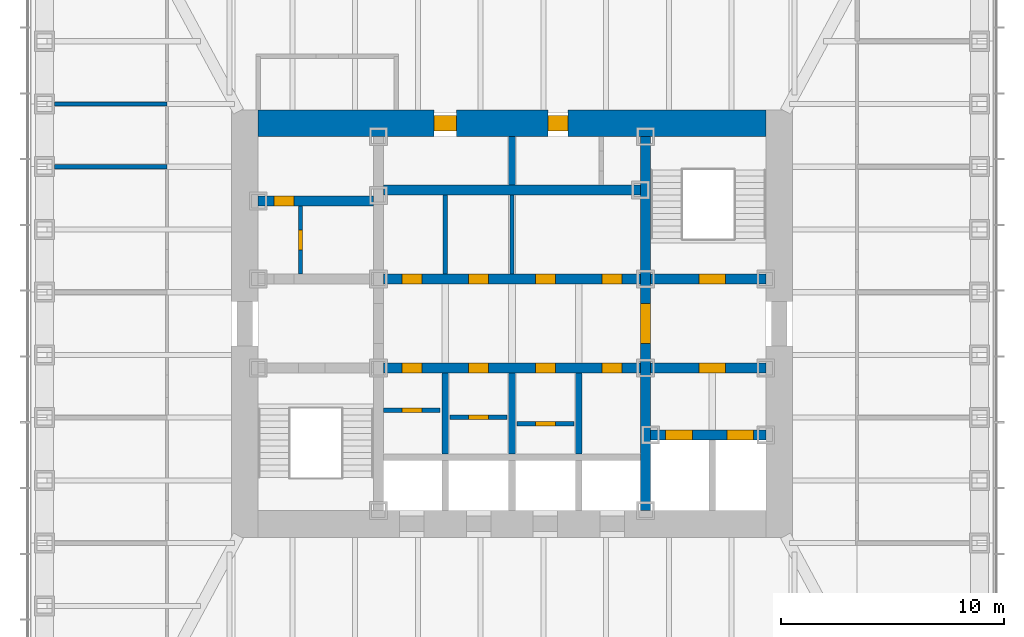
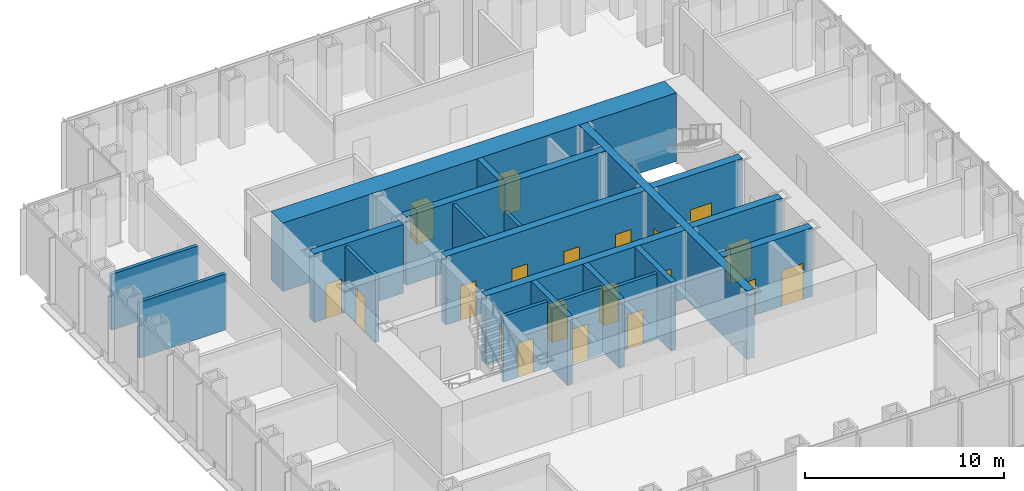
# One storey, part 9 of 16: 21 walls, 20 doors, 20 openings.
"""IFC4 building model written with IfcOpenShell, lengths in metres."""

from ifc_helpers import new_model, si_unit, direction, frame, frame_2d, origin, place, context, subcontext, project, spatial, rectangle, extrude, material, layer, layer_set, type_object, element, fill, save


model = new_model("IFC4")

# Units and contexts
model_context = context("Model", 3, precision=1e-05, world=origin(), true_north=direction((0.0, 1.0)))
body_context = subcontext(model_context, "Body", "Model", "MODEL_VIEW")
ifc_project = project(units=[si_unit("LENGTHUNIT", "METRE"), si_unit("AREAUNIT", "SQUARE_METRE"), si_unit("VOLUMEUNIT", "CUBIC_METRE"), si_unit("PLANEANGLEUNIT", "RADIAN"), si_unit("MASSUNIT", "GRAM", prefix="KILO")], contexts=[model_context])

# Site, building, storey
site_placement = place(None, origin())
site = spatial("IfcSite", under=ifc_project, at=site_placement, CompositionType="ELEMENT")
building_placement = place(site_placement, origin())
building = spatial("IfcBuilding", under=site, at=building_placement, Name="Daluyong Arena Tower", CompositionType="ELEMENT")
storey_placement = place(building_placement, frame((0.0, 0.0, 189.699951171875)))
storey = spatial("IfcBuildingStorey", under=building, at=storey_placement, Name="L42", CompositionType="ELEMENT", Elevation=189.699951171875)

# Wall, opening, door
ifc_material_1 = material(Name="Concrete fc' 45 MPa", Category="concrete")
ifc_layer_1 = layer(ifc_material_1, 0.449951171875)
ifc_layer_set_1 = layer_set([ifc_layer_1], Name="Concrete fc' 45 MPa")
wall_type_1 = type_object("IfcWallType", Name="Core inner wall 450", PredefinedType="SHEAR", material=ifc_layer_set_1)
wall_1_placement = place(storey_placement, frame((62.0, 71.60009765625, 0.0), z_axis=(0.0, 0.0, 1.0), x_axis=(0.0, 1.0, 0.0)))
wall_1 = element("IfcWall", 1, at=wall_1_placement, inside=storey, type_object=wall_type_1, Name="core inner wall at L42", PredefinedType="SHEAR", context=body_context, shape_type="SweptSolid", body=[
    extrude(rectangle(XDim=16.7998046875, YDim=0.449951171875, at=frame_2d((8.39990234375, 0.0))), origin(), (0.0, 0.0, 1.0), 4.199951171875),
])
opening_1_placement = place(wall_1_placement, frame((7.5, 0.0, 0.0)))
opening_1 = element("IfcOpeningElement", 2, at=opening_1_placement, cuts=wall_1, Name="Opening 42023", PredefinedType="OPENING", context=body_context, shape_type="SweptSolid", body=[
    extrude(rectangle(XDim=1.800048828125, YDim=2.39990234375, at=frame_2d((0.89990234375, 1.199951171875))), frame((0.0, 0.23486328125, 0.0), z_axis=(0.0, -1.0, 0.0), x_axis=(1.0, 0.0, 0.0)), (0.0, 0.0, 1.0), 0.469970703125),
])
ifc_material_2 = material(Name="Steel door, fire rated", Category="steel")
door_type_1 = type_object("IfcDoorType", Name="Lift lobby opening door 1800", OperationType="DOUBLE_DOOR_SINGLE_SWING", PredefinedType="DOOR", material=ifc_material_2)
door_1_placement = place(opening_1_placement, origin())
door_1 = element("IfcDoor", 3, at=door_1_placement, inside=storey, type_object=door_type_1, Name="lift lobby door east 42023", OperationType="DOUBLE_DOOR_SINGLE_SWING", OverallHeight=2.39990234375, OverallWidth=1.800048828125, PredefinedType="DOOR", context=body_context, shape_type="SweptSolid", body=[
    extrude(rectangle(XDim=1.800048828125, YDim=2.39990234375, at=frame_2d((0.89990234375, 1.199951171875))), frame((0.0, 0.224609375, 0.0), z_axis=(0.0, -1.0, 0.0), x_axis=(1.0, 0.0, 0.0)), (0.0, 0.0, 1.0), 0.449462890625),
])
fill(opening_1, door_1)

wall_2_placement = place(storey_placement, frame((44.60009765625, 85.5, 0.0), z_axis=(0.0, 0.0, 1.0), x_axis=(1.0, 0.0, 0.0)))
wall_2 = element("IfcWall", 4, at=wall_2_placement, inside=storey, type_object=wall_type_1, Name="core inner wall at L42", PredefinedType="SHEAR", context=body_context, shape_type="SweptSolid", body=[
    extrude(rectangle(XDim=5.1748046875, YDim=0.449951171875, at=frame_2d((2.58740234375, 0.0))), origin(), (0.0, 0.0, 1.0), 4.199951171875),
])
opening_2_placement = place(wall_2_placement, frame((0.699951171875, 0.0, 0.0)))
opening_2 = element("IfcOpeningElement", 5, at=opening_2_placement, cuts=wall_2, Name="Opening 42003", PredefinedType="OPENING", context=body_context, shape_type="SweptSolid", body=[
    extrude(rectangle(XDim=0.89990234375, YDim=2.10009765625, at=frame_2d((0.449951171875, 1.050048828125))), frame((0.0, 0.23486328125, 0.0), z_axis=(0.0, -1.0, 0.0), x_axis=(1.0, 0.0, 0.0)), (0.0, 0.0, 1.0), 0.469970703125),
])
ifc_material_3 = material(Name="Timber door", Category="wood")
door_type_2 = type_object("IfcDoorType", Name="Toilet door 900", OperationType="SINGLE_SWING_RIGHT", PredefinedType="DOOR", material=ifc_material_3)
door_2_placement = place(opening_2_placement, origin())
door_2 = element("IfcDoor", 6, at=door_2_placement, inside=storey, type_object=door_type_2, Name="female toilet door 42003", OperationType="SINGLE_SWING_RIGHT", OverallHeight=2.10009765625, OverallWidth=0.89990234375, PredefinedType="DOOR", context=body_context, shape_type="SweptSolid", body=[
    extrude(rectangle(XDim=0.89990234375, YDim=2.10009765625, at=frame_2d((0.449951171875, 1.050048828125))), frame((0.0, 0.224609375, 0.0), z_axis=(0.0, -1.0, 0.0), x_axis=(1.0, 0.0, 0.0)), (0.0, 0.0, 1.0), 0.449462890625),
])
fill(opening_2, door_2)

# Wall, openings, doors
wall_3_placement = place(storey_placement, frame((62.22509765625, 75.0, 0.0), z_axis=(0.0, 0.0, 1.0), x_axis=(1.0, 0.0, 0.0)))
wall_3 = element("IfcWall", 7, at=wall_3_placement, inside=storey, type_object=wall_type_1, Name="core inner wall at L42", PredefinedType="SHEAR", context=body_context, shape_type="SweptSolid", body=[
    extrude(rectangle(XDim=5.1748046875, YDim=0.449951171875, at=frame_2d((2.58740234375, 0.0))), origin(), (0.0, 0.0, 1.0), 4.199951171875),
])
opening_3_placement = place(wall_3_placement, frame((0.675048828125, 0.0, 0.0)))
opening_3 = element("IfcOpeningElement", 8, at=opening_3_placement, cuts=wall_3, Name="Opening 42029", PredefinedType="OPENING", context=body_context, shape_type="SweptSolid", body=[
    extrude(rectangle(XDim=1.199951171875, YDim=2.199951171875, at=frame_2d((0.60009765625, 1.10009765625))), frame((0.0, 0.23486328125, 0.0), z_axis=(0.0, -1.0, 0.0), x_axis=(1.0, 0.0, 0.0)), (0.0, 0.0, 1.0), 0.469970703125),
])
opening_4_placement = place(wall_3_placement, frame((3.425048828125, 0.0, 0.0)))
opening_4 = element("IfcOpeningElement", 9, at=opening_4_placement, cuts=wall_3, Name="Opening 42030", PredefinedType="OPENING", context=body_context, shape_type="SweptSolid", body=[
    extrude(rectangle(XDim=1.199951171875, YDim=2.199951171875, at=frame_2d((0.60009765625, 1.10009765625))), frame((0.0, 0.23486328125, 0.0), z_axis=(0.0, -1.0, 0.0), x_axis=(1.0, 0.0, 0.0)), (0.0, 0.0, 1.0), 0.469970703125),
])
ifc_material_4 = material(Name="Steel door, fire rated", Category="steel")
door_type_3 = type_object("IfcDoorType", Name="Firefighting lift landing door 1200", OperationType="SLIDING_TO_LEFT", PredefinedType="DOOR", material=ifc_material_4)
door_3_placement = place(opening_3_placement, origin())
door_3 = element("IfcDoor", 10, at=door_3_placement, inside=storey, type_object=door_type_3, Name="firefighting lift landing door F1 42029", OperationType="SLIDING_TO_LEFT", OverallHeight=2.199951171875, OverallWidth=1.199951171875, PredefinedType="DOOR", context=body_context, shape_type="SweptSolid", body=[
    extrude(rectangle(XDim=1.199951171875, YDim=2.199951171875, at=frame_2d((0.60009765625, 1.10009765625))), frame((0.0, 0.224609375, 0.0), z_axis=(0.0, -1.0, 0.0), x_axis=(1.0, 0.0, 0.0)), (0.0, 0.0, 1.0), 0.449462890625),
])
fill(opening_3, door_3)
door_4_placement = place(opening_4_placement, origin())
door_4 = element("IfcDoor", 11, at=door_4_placement, inside=storey, type_object=door_type_3, Name="firefighting lift landing door F2 42030", OperationType="SLIDING_TO_LEFT", OverallHeight=2.199951171875, OverallWidth=1.199951171875, PredefinedType="DOOR", context=body_context, shape_type="SweptSolid", body=[
    extrude(rectangle(XDim=1.199951171875, YDim=2.199951171875, at=frame_2d((0.60009765625, 1.10009765625))), frame((0.0, 0.224609375, 0.0), z_axis=(0.0, -1.0, 0.0), x_axis=(1.0, 0.0, 0.0)), (0.0, 0.0, 1.0), 0.449462890625),
])
fill(opening_4, door_4)

# Wall, opening, door
wall_4_placement = place(storey_placement, frame((62.22509765625, 78.0, 0.0), z_axis=(0.0, 0.0, 1.0), x_axis=(1.0, 0.0, 0.0)))
wall_4 = element("IfcWall", 12, at=wall_4_placement, inside=storey, type_object=wall_type_1, Name="core inner wall at L42", PredefinedType="SHEAR", context=body_context, shape_type="SweptSolid", body=[
    extrude(rectangle(XDim=5.1748046875, YDim=0.449951171875, at=frame_2d((2.58740234375, 0.0))), origin(), (0.0, 0.0, 1.0), 4.199951171875),
])
opening_5_placement = place(wall_4_placement, frame((2.175048828125, 0.0, 0.0)))
opening_5 = element("IfcOpeningElement", 13, at=opening_5_placement, cuts=wall_4, Name="Opening 42024", PredefinedType="OPENING", context=body_context, shape_type="SweptSolid", body=[
    extrude(rectangle(XDim=1.199951171875, YDim=2.10009765625, at=frame_2d((0.60009765625, 1.050048828125))), frame((0.0, 0.23486328125, 0.0), z_axis=(0.0, -1.0, 0.0), x_axis=(1.0, 0.0, 0.0)), (0.0, 0.0, 1.0), 0.469970703125),
])
ifc_material_5 = material(Name="Steel door, fire rated", Category="steel")
door_type_4 = type_object("IfcDoorType", Name="Firefighting lobby door 1200", OperationType="SINGLE_SWING_RIGHT", PredefinedType="DOOR", material=ifc_material_5)
door_5_placement = place(opening_5_placement, origin())
door_5 = element("IfcDoor", 14, at=door_5_placement, inside=storey, type_object=door_type_4, Name="firefighting lobby door 42024", OperationType="SINGLE_SWING_RIGHT", OverallHeight=2.10009765625, OverallWidth=1.199951171875, PredefinedType="DOOR", context=body_context, shape_type="SweptSolid", body=[
    extrude(rectangle(XDim=1.199951171875, YDim=2.10009765625, at=frame_2d((0.60009765625, 1.050048828125))), frame((0.0, 0.224609375, 0.0), z_axis=(0.0, -1.0, 0.0), x_axis=(1.0, 0.0, 0.0)), (0.0, 0.0, 1.0), 0.449462890625),
])
fill(opening_5, door_5)

wall_5_placement = place(storey_placement, frame((62.22509765625, 82.0, 0.0), z_axis=(0.0, 0.0, 1.0), x_axis=(1.0, 0.0, 0.0)))
wall_5 = element("IfcWall", 15, at=wall_5_placement, inside=storey, type_object=wall_type_1, Name="core inner wall at L42", PredefinedType="SHEAR", context=body_context, shape_type="SweptSolid", body=[
    extrude(rectangle(XDim=5.1748046875, YDim=0.449951171875, at=frame_2d((2.58740234375, 0.0))), origin(), (0.0, 0.0, 1.0), 4.199951171875),
])
opening_6_placement = place(wall_5_placement, frame((2.175048828125, 0.0, 0.0)))
opening_6 = element("IfcOpeningElement", 16, at=opening_6_placement, cuts=wall_5, Name="Opening 42019", PredefinedType="OPENING", context=body_context, shape_type="SweptSolid", body=[
    extrude(rectangle(XDim=1.199951171875, YDim=2.10009765625, at=frame_2d((0.60009765625, 1.050048828125))), frame((0.0, 0.23486328125, 0.0), z_axis=(0.0, -1.0, 0.0), x_axis=(1.0, 0.0, 0.0)), (0.0, 0.0, 1.0), 0.469970703125),
])
ifc_material_6 = material(Name="Steel door, fire rated", Category="steel")
door_type_5 = type_object("IfcDoorType", Name="Stair door 1200", OperationType="SINGLE_SWING_LEFT", PredefinedType="DOOR", material=ifc_material_6)
door_6_placement = place(opening_6_placement, origin())
door_6 = element("IfcDoor", 17, at=door_6_placement, inside=storey, type_object=door_type_5, Name="stair B door 42019", OperationType="SINGLE_SWING_LEFT", OverallHeight=2.10009765625, OverallWidth=1.199951171875, PredefinedType="DOOR", context=body_context, shape_type="SweptSolid", body=[
    extrude(rectangle(XDim=1.199951171875, YDim=2.10009765625, at=frame_2d((0.60009765625, 1.050048828125))), frame((0.0, 0.224609375, 0.0), z_axis=(0.0, -1.0, 0.0), x_axis=(1.0, 0.0, 0.0)), (0.0, 0.0, 1.0), 0.449462890625),
])
fill(opening_6, door_6)

# Wall, openings, doors
wall_6_placement = place(storey_placement, frame((50.22509765625, 78.0, 0.0), z_axis=(0.0, 0.0, 1.0), x_axis=(1.0, 0.0, 0.0)))
wall_6 = element("IfcWall", 18, at=wall_6_placement, inside=storey, type_object=wall_type_1, Name="core inner wall at L42", PredefinedType="SHEAR", context=body_context, shape_type="SweptSolid", body=[
    extrude(rectangle(XDim=11.5498046875, YDim=0.449951171875, at=frame_2d((5.77490234375, 0.0))), origin(), (0.0, 0.0, 1.0), 4.199951171875),
])
opening_7_placement = place(wall_6_placement, frame((0.824951171875, 0.0, 0.0)))
opening_7 = element("IfcOpeningElement", 19, at=opening_7_placement, cuts=wall_6, Name="Opening 42007", PredefinedType="OPENING", context=body_context, shape_type="SweptSolid", body=[
    extrude(rectangle(XDim=0.89990234375, YDim=2.10009765625, at=frame_2d((0.449951171875, 1.050048828125))), frame((0.0, 0.23486328125, 0.0), z_axis=(0.0, -1.0, 0.0), x_axis=(1.0, 0.0, 0.0)), (0.0, 0.0, 1.0), 0.469970703125),
])
opening_8_placement = place(wall_6_placement, frame((3.824951171875, 0.0, 0.0)))
opening_8 = element("IfcOpeningElement", 20, at=opening_8_placement, cuts=wall_6, Name="Opening 42009", PredefinedType="OPENING", context=body_context, shape_type="SweptSolid", body=[
    extrude(rectangle(XDim=0.89990234375, YDim=2.10009765625, at=frame_2d((0.449951171875, 1.050048828125))), frame((0.0, 0.23486328125, 0.0), z_axis=(0.0, -1.0, 0.0), x_axis=(1.0, 0.0, 0.0)), (0.0, 0.0, 1.0), 0.469970703125),
])
opening_9_placement = place(wall_6_placement, frame((6.824951171875, 0.0, 0.0)))
opening_9 = element("IfcOpeningElement", 21, at=opening_9_placement, cuts=wall_6, Name="Opening 42011", PredefinedType="OPENING", context=body_context, shape_type="SweptSolid", body=[
    extrude(rectangle(XDim=0.89990234375, YDim=2.10009765625, at=frame_2d((0.449951171875, 1.050048828125))), frame((0.0, 0.23486328125, 0.0), z_axis=(0.0, -1.0, 0.0), x_axis=(1.0, 0.0, 0.0)), (0.0, 0.0, 1.0), 0.469970703125),
])
opening_10_placement = place(wall_6_placement, frame((9.824951171875, 0.0, 0.0)))
opening_10 = element("IfcOpeningElement", 22, at=opening_10_placement, cuts=wall_6, Name="Opening 42013", PredefinedType="OPENING", context=body_context, shape_type="SweptSolid", body=[
    extrude(rectangle(XDim=0.89990234375, YDim=2.10009765625, at=frame_2d((0.449951171875, 1.050048828125))), frame((0.0, 0.23486328125, 0.0), z_axis=(0.0, -1.0, 0.0), x_axis=(1.0, 0.0, 0.0)), (0.0, 0.0, 1.0), 0.469970703125),
])
ifc_material_7 = material(Name="Steel door, fire rated", Category="steel")
door_type_6 = type_object("IfcDoorType", Name="Core room door 900", OperationType="SINGLE_SWING_LEFT", PredefinedType="DOOR", material=ifc_material_7)
door_7_placement = place(opening_10_placement, origin())
door_7 = element("IfcDoor", 23, at=door_7_placement, inside=storey, type_object=door_type_6, Name="vending room door 42013", OperationType="SINGLE_SWING_LEFT", OverallHeight=2.10009765625, OverallWidth=0.89990234375, PredefinedType="DOOR", context=body_context, shape_type="SweptSolid", body=[
    extrude(rectangle(XDim=0.89990234375, YDim=2.10009765625, at=frame_2d((0.449951171875, 1.050048828125))), frame((0.0, 0.224609375, 0.0), z_axis=(0.0, -1.0, 0.0), x_axis=(1.0, 0.0, 0.0)), (0.0, 0.0, 1.0), 0.449462890625),
])
fill(opening_10, door_7)
ifc_material_8 = material(Name="Steel door, fire rated", Category="steel")
door_type_7 = type_object("IfcDoorType", Name="Core store door 900", OperationType="SINGLE_SWING_LEFT", PredefinedType="DOOR", material=ifc_material_8)
door_8_placement = place(opening_7_placement, origin())
door_8 = element("IfcDoor", 24, at=door_8_placement, inside=storey, type_object=door_type_7, Name="stationery store door 42007", OperationType="SINGLE_SWING_LEFT", OverallHeight=2.10009765625, OverallWidth=0.89990234375, PredefinedType="DOOR", context=body_context, shape_type="SweptSolid", body=[
    extrude(rectangle(XDim=0.89990234375, YDim=2.10009765625, at=frame_2d((0.449951171875, 1.050048828125))), frame((0.0, 0.224609375, 0.0), z_axis=(0.0, -1.0, 0.0), x_axis=(1.0, 0.0, 0.0)), (0.0, 0.0, 1.0), 0.449462890625),
])
fill(opening_7, door_8)
door_9_placement = place(opening_8_placement, origin())
door_9 = element("IfcDoor", 25, at=door_9_placement, inside=storey, type_object=door_type_7, Name="cleaner's store door 42009", OperationType="SINGLE_SWING_LEFT", OverallHeight=2.10009765625, OverallWidth=0.89990234375, PredefinedType="DOOR", context=body_context, shape_type="SweptSolid", body=[
    extrude(rectangle(XDim=0.89990234375, YDim=2.10009765625, at=frame_2d((0.449951171875, 1.050048828125))), frame((0.0, 0.224609375, 0.0), z_axis=(0.0, -1.0, 0.0), x_axis=(1.0, 0.0, 0.0)), (0.0, 0.0, 1.0), 0.449462890625),
])
fill(opening_8, door_9)
door_10_placement = place(opening_9_placement, origin())
door_10 = element("IfcDoor", 26, at=door_10_placement, inside=storey, type_object=door_type_7, Name="furniture store door 42011", OperationType="SINGLE_SWING_LEFT", OverallHeight=2.10009765625, OverallWidth=0.89990234375, PredefinedType="DOOR", context=body_context, shape_type="SweptSolid", body=[
    extrude(rectangle(XDim=0.89990234375, YDim=2.10009765625, at=frame_2d((0.449951171875, 1.050048828125))), frame((0.0, 0.224609375, 0.0), z_axis=(0.0, -1.0, 0.0), x_axis=(1.0, 0.0, 0.0)), (0.0, 0.0, 1.0), 0.449462890625),
])
fill(opening_9, door_10)

wall_7_placement = place(storey_placement, frame((50.22509765625, 82.0, 0.0), z_axis=(0.0, 0.0, 1.0), x_axis=(1.0, 0.0, 0.0)))
wall_7 = element("IfcWall", 27, at=wall_7_placement, inside=storey, type_object=wall_type_1, Name="core inner wall at L42", PredefinedType="SHEAR", context=body_context, shape_type="SweptSolid", body=[
    extrude(rectangle(XDim=11.5498046875, YDim=0.449951171875, at=frame_2d((5.77490234375, 0.0))), origin(), (0.0, 0.0, 1.0), 4.199951171875),
])
opening_11_placement = place(wall_7_placement, frame((0.824951171875, 0.0, 0.0)))
opening_11 = element("IfcOpeningElement", 28, at=opening_11_placement, cuts=wall_7, Name="Opening 42014", PredefinedType="OPENING", context=body_context, shape_type="SweptSolid", body=[
    extrude(rectangle(XDim=0.89990234375, YDim=2.10009765625, at=frame_2d((0.449951171875, 1.050048828125))), frame((0.0, 0.23486328125, 0.0), z_axis=(0.0, -1.0, 0.0), x_axis=(1.0, 0.0, 0.0)), (0.0, 0.0, 1.0), 0.469970703125),
])
opening_12_placement = place(wall_7_placement, frame((3.824951171875, 0.0, 0.0)))
opening_12 = element("IfcOpeningElement", 29, at=opening_12_placement, cuts=wall_7, Name="Opening 42015", PredefinedType="OPENING", context=body_context, shape_type="SweptSolid", body=[
    extrude(rectangle(XDim=0.89990234375, YDim=2.10009765625, at=frame_2d((0.449951171875, 1.050048828125))), frame((0.0, 0.23486328125, 0.0), z_axis=(0.0, -1.0, 0.0), x_axis=(1.0, 0.0, 0.0)), (0.0, 0.0, 1.0), 0.469970703125),
])
opening_13_placement = place(wall_7_placement, frame((6.824951171875, 0.0, 0.0)))
opening_13 = element("IfcOpeningElement", 30, at=opening_13_placement, cuts=wall_7, Name="Opening 42016", PredefinedType="OPENING", context=body_context, shape_type="SweptSolid", body=[
    extrude(rectangle(XDim=0.89990234375, YDim=2.10009765625, at=frame_2d((0.449951171875, 1.050048828125))), frame((0.0, 0.23486328125, 0.0), z_axis=(0.0, -1.0, 0.0), x_axis=(1.0, 0.0, 0.0)), (0.0, 0.0, 1.0), 0.469970703125),
])
opening_14_placement = place(wall_7_placement, frame((9.824951171875, 0.0, 0.0)))
opening_14 = element("IfcOpeningElement", 31, at=opening_14_placement, cuts=wall_7, Name="Opening 42017", PredefinedType="OPENING", context=body_context, shape_type="SweptSolid", body=[
    extrude(rectangle(XDim=0.89990234375, YDim=2.10009765625, at=frame_2d((0.449951171875, 1.050048828125))), frame((0.0, 0.23486328125, 0.0), z_axis=(0.0, -1.0, 0.0), x_axis=(1.0, 0.0, 0.0)), (0.0, 0.0, 1.0), 0.469970703125),
])
door_11_placement = place(opening_11_placement, origin())
door_11 = element("IfcDoor", 32, at=door_11_placement, inside=storey, type_object=door_type_6, Name="mail room door 42014", OperationType="SINGLE_SWING_LEFT", OverallHeight=2.10009765625, OverallWidth=0.89990234375, PredefinedType="DOOR", context=body_context, shape_type="SweptSolid", body=[
    extrude(rectangle(XDim=0.89990234375, YDim=2.10009765625, at=frame_2d((0.449951171875, 1.050048828125))), frame((0.0, 0.224609375, 0.0), z_axis=(0.0, -1.0, 0.0), x_axis=(1.0, 0.0, 0.0)), (0.0, 0.0, 1.0), 0.449462890625),
])
fill(opening_11, door_11)
door_12_placement = place(opening_12_placement, origin())
door_12 = element("IfcDoor", 33, at=door_12_placement, inside=storey, type_object=door_type_6, Name="print room door 42015", OperationType="SINGLE_SWING_LEFT", OverallHeight=2.10009765625, OverallWidth=0.89990234375, PredefinedType="DOOR", context=body_context, shape_type="SweptSolid", body=[
    extrude(rectangle(XDim=0.89990234375, YDim=2.10009765625, at=frame_2d((0.449951171875, 1.050048828125))), frame((0.0, 0.224609375, 0.0), z_axis=(0.0, -1.0, 0.0), x_axis=(1.0, 0.0, 0.0)), (0.0, 0.0, 1.0), 0.449462890625),
])
fill(opening_12, door_12)
ifc_material_9 = material(Name="Steel door, fire rated", Category="steel")
door_type_8 = type_object("IfcDoorType", Name="Plant room door 900", OperationType="SINGLE_SWING_LEFT", PredefinedType="DOOR", material=ifc_material_9)
door_13_placement = place(opening_13_placement, origin())
door_13 = element("IfcDoor", 34, at=door_13_placement, inside=storey, type_object=door_type_8, Name="comms room door 42016", OperationType="SINGLE_SWING_LEFT", OverallHeight=2.10009765625, OverallWidth=0.89990234375, PredefinedType="DOOR", context=body_context, shape_type="SweptSolid", body=[
    extrude(rectangle(XDim=0.89990234375, YDim=2.10009765625, at=frame_2d((0.449951171875, 1.050048828125))), frame((0.0, 0.224609375, 0.0), z_axis=(0.0, -1.0, 0.0), x_axis=(1.0, 0.0, 0.0)), (0.0, 0.0, 1.0), 0.449462890625),
])
fill(opening_13, door_13)
door_14_placement = place(opening_14_placement, origin())
door_14 = element("IfcDoor", 35, at=door_14_placement, inside=storey, type_object=door_type_8, Name="comms room door 42017", OperationType="SINGLE_SWING_LEFT", OverallHeight=2.10009765625, OverallWidth=0.89990234375, PredefinedType="DOOR", context=body_context, shape_type="SweptSolid", body=[
    extrude(rectangle(XDim=0.89990234375, YDim=2.10009765625, at=frame_2d((0.449951171875, 1.050048828125))), frame((0.0, 0.224609375, 0.0), z_axis=(0.0, -1.0, 0.0), x_axis=(1.0, 0.0, 0.0)), (0.0, 0.0, 1.0), 0.449462890625),
])
fill(opening_14, door_14)

# Wall
wall_8_placement = place(storey_placement, frame((50.22509765625, 86.0, 0.0), z_axis=(0.0, 0.0, 1.0), x_axis=(1.0, 0.0, 0.0)))
element("IfcWall", 36, at=wall_8_placement, inside=storey, type_object=wall_type_1, Name="core inner wall at L42", PredefinedType="SHEAR", context=body_context, shape_type="SweptSolid", body=[
    extrude(rectangle(XDim=11.5498046875, YDim=0.449951171875, at=frame_2d((5.77490234375, 0.0))), origin(), (0.0, 0.0, 1.0), 4.199951171875),
])

# Wall, openings, doors
ifc_material_10 = material(Name="Concrete fc' 60 MPa", Category="concrete")
ifc_layer_2 = layer(ifc_material_10, 1.199951171875)
ifc_layer_set_2 = layer_set([ifc_layer_2], Name="Concrete fc' 60 MPa")
wall_type_2 = type_object("IfcWallType", Name="Core wall 1200", PredefinedType="SHEAR", material=ifc_layer_set_2)
wall_9_placement = place(storey_placement, frame((44.60009765625, 89.0, 0.0), z_axis=(0.0, 0.0, 1.0), x_axis=(1.0, 0.0, 0.0)))
wall_9 = element("IfcWall", 37, at=wall_9_placement, inside=storey, type_object=wall_type_2, Name="core wall at L42", PredefinedType="SHEAR", context=body_context, shape_type="SweptSolid", body=[
    extrude(rectangle(XDim=22.7998046875, YDim=1.199951171875, at=frame_2d((11.39990234375, 0.0))), origin(), (0.0, 0.0, 1.0), 4.199951171875),
])
opening_15_placement = place(wall_9_placement, frame((7.89990234375, 0.0, 0.0)))
opening_15 = element("IfcOpeningElement", 38, at=opening_15_placement, cuts=wall_9, Name="Opening 42004", PredefinedType="OPENING", context=body_context, shape_type="SweptSolid", body=[
    extrude(rectangle(XDim=1.0, YDim=2.10009765625, at=frame_2d((0.5, 1.050048828125))), frame((0.0, 0.60986328125, 0.0), z_axis=(0.0, -1.0, 0.0), x_axis=(1.0, 0.0, 0.0)), (0.0, 0.0, 1.0), 1.219970703125),
])
opening_16_placement = place(wall_9_placement, frame((13.012451171875, 0.0, 0.0)))
opening_16 = element("IfcOpeningElement", 39, at=opening_16_placement, cuts=wall_9, Name="Opening 42005", PredefinedType="OPENING", context=body_context, shape_type="SweptSolid", body=[
    extrude(rectangle(XDim=0.89990234375, YDim=2.10009765625, at=frame_2d((0.449951171875, 1.050048828125))), frame((0.0, 0.60986328125, 0.0), z_axis=(0.0, -1.0, 0.0), x_axis=(1.0, 0.0, 0.0)), (0.0, 0.0, 1.0), 1.219970703125),
])
ifc_material_11 = material(Name="Timber door", Category="wood")
door_type_9 = type_object("IfcDoorType", Name="Accessible toilet door 1000", OperationType="SINGLE_SWING_LEFT", PredefinedType="DOOR", material=ifc_material_11)
door_15_placement = place(opening_15_placement, origin())
door_15 = element("IfcDoor", 40, at=door_15_placement, inside=storey, type_object=door_type_9, Name="accessible toilet door 42004", OperationType="SINGLE_SWING_LEFT", OverallHeight=2.10009765625, OverallWidth=1.0, PredefinedType="DOOR", context=body_context, shape_type="SweptSolid", body=[
    extrude(rectangle(XDim=1.0, YDim=2.10009765625, at=frame_2d((0.5, 1.050048828125))), frame((0.0, 0.35009765625, 0.0), z_axis=(0.0, -1.0, 0.0), x_axis=(1.0, 0.0, 0.0)), (0.0, 0.0, 1.0), 0.699951171875),
])
fill(opening_15, door_15)
door_16_placement = place(opening_16_placement, origin())
door_16 = element("IfcDoor", 41, at=door_16_placement, inside=storey, type_object=door_type_6, Name="parcel room door 42005", OperationType="SINGLE_SWING_LEFT", OverallHeight=2.10009765625, OverallWidth=0.89990234375, PredefinedType="DOOR", context=body_context, shape_type="SweptSolid", body=[
    extrude(rectangle(XDim=0.89990234375, YDim=2.10009765625, at=frame_2d((0.449951171875, 1.050048828125))), frame((0.0, 0.35009765625, 0.0), z_axis=(0.0, -1.0, 0.0), x_axis=(1.0, 0.0, 0.0)), (0.0, 0.0, 1.0), 0.699951171875),
])
fill(opening_16, door_16)

# Wall, opening, door
ifc_material_12 = material(Name="Concrete block partition, fire rated", Category="concrete")
ifc_layer_3 = layer(ifc_material_12, 0.199951171875)
ifc_layer_set_3 = layer_set([ifc_layer_3], Name="Concrete block partition, fire rated")
wall_type_3 = type_object("IfcWallType", Name="Fire-rated partition 200", PredefinedType="PARTITIONING", material=ifc_layer_set_3)
wall_10_placement = place(storey_placement, frame((46.5, 82.22509765625, 0.0), z_axis=(0.0, 0.0, 1.0), x_axis=(0.0, 1.0, 0.0)))
wall_10 = element("IfcWall", 42, at=wall_10_placement, inside=storey, type_object=wall_type_3, Name="toilet lobby partition at L42", PredefinedType="PARTITIONING", context=body_context, shape_type="SweptSolid", body=[
    extrude(rectangle(XDim=3.0498046875, YDim=0.199951171875, at=frame_2d((1.52490234375, 0.0))), origin(), (0.0, 0.0, 1.0), 4.0400390625),
])
opening_17_placement = place(wall_10_placement, frame((1.074951171875, 0.0, 0.0)))
opening_17 = element("IfcOpeningElement", 43, at=opening_17_placement, cuts=wall_10, Name="Opening 42002", PredefinedType="OPENING", context=body_context, shape_type="SweptSolid", body=[
    extrude(rectangle(XDim=0.89990234375, YDim=2.10009765625, at=frame_2d((0.449951171875, 1.050048828125))), frame((0.0, 0.10986328125, 0.0), z_axis=(0.0, -1.0, 0.0), x_axis=(1.0, 0.0, 0.0)), (0.0, 0.0, 1.0), 0.219970703125),
])
door_17_placement = place(opening_17_placement, origin())
door_17 = element("IfcDoor", 44, at=door_17_placement, inside=storey, type_object=door_type_2, Name="male toilet door 42002", OperationType="SINGLE_SWING_RIGHT", OverallHeight=2.10009765625, OverallWidth=0.89990234375, PredefinedType="DOOR", context=body_context, shape_type="SweptSolid", body=[
    extrude(rectangle(XDim=0.89990234375, YDim=2.10009765625, at=frame_2d((0.449951171875, 1.050048828125))), frame((0.0, 0.099609375, 0.0), z_axis=(0.0, -1.0, 0.0), x_axis=(1.0, 0.0, 0.0)), (0.0, 0.0, 1.0), 0.199462890625),
])
fill(opening_17, door_17)

wall_11_placement = place(storey_placement, frame((50.22509765625, 76.10009765625, 0.0), z_axis=(0.0, 0.0, 1.0), x_axis=(1.0, 0.0, 0.0)))
wall_11 = element("IfcWall", 45, at=wall_11_placement, inside=storey, type_object=wall_type_3, Name="back store partition at L42", PredefinedType="PARTITIONING", context=body_context, shape_type="SweptSolid", body=[
    extrude(rectangle(XDim=2.5498046875, YDim=0.199951171875, at=frame_2d((1.27490234375, 0.0))), origin(), (0.0, 0.0, 1.0), 4.0400390625),
])
opening_18_placement = place(wall_11_placement, frame((0.824951171875, 0.0, 0.0)))
opening_18 = element("IfcOpeningElement", 46, at=opening_18_placement, cuts=wall_11, Name="Opening 42008", PredefinedType="OPENING", context=body_context, shape_type="SweptSolid", body=[
    extrude(rectangle(XDim=0.89990234375, YDim=2.10009765625, at=frame_2d((0.449951171875, 1.050048828125))), frame((0.0, 0.10986328125, 0.0), z_axis=(0.0, -1.0, 0.0), x_axis=(1.0, 0.0, 0.0)), (0.0, 0.0, 1.0), 0.219970703125),
])
door_18_placement = place(opening_18_placement, origin())
door_18 = element("IfcDoor", 47, at=door_18_placement, inside=storey, type_object=door_type_7, Name="facilities store door 42008", OperationType="SINGLE_SWING_LEFT", OverallHeight=2.10009765625, OverallWidth=0.89990234375, PredefinedType="DOOR", context=body_context, shape_type="SweptSolid", body=[
    extrude(rectangle(XDim=0.89990234375, YDim=2.10009765625, at=frame_2d((0.449951171875, 1.050048828125))), frame((0.0, 0.099609375, 0.0), z_axis=(0.0, -1.0, 0.0), x_axis=(1.0, 0.0, 0.0)), (0.0, 0.0, 1.0), 0.199462890625),
])
fill(opening_18, door_18)

wall_12_placement = place(storey_placement, frame((53.22509765625, 75.800048828125, 0.0), z_axis=(0.0, 0.0, 1.0), x_axis=(1.0, 0.0, 0.0)))
wall_12 = element("IfcWall", 48, at=wall_12_placement, inside=storey, type_object=wall_type_3, Name="back store partition at L42", PredefinedType="PARTITIONING", context=body_context, shape_type="SweptSolid", body=[
    extrude(rectangle(XDim=2.5498046875, YDim=0.199951171875, at=frame_2d((1.27490234375, 0.0))), origin(), (0.0, 0.0, 1.0), 4.0400390625),
])
opening_19_placement = place(wall_12_placement, frame((0.824951171875, 0.0, 0.0)))
opening_19 = element("IfcOpeningElement", 49, at=opening_19_placement, cuts=wall_12, Name="Opening 42010", PredefinedType="OPENING", context=body_context, shape_type="SweptSolid", body=[
    extrude(rectangle(XDim=0.89990234375, YDim=2.10009765625, at=frame_2d((0.449951171875, 1.050048828125))), frame((0.0, 0.10986328125, 0.0), z_axis=(0.0, -1.0, 0.0), x_axis=(1.0, 0.0, 0.0)), (0.0, 0.0, 1.0), 0.219970703125),
])
door_19_placement = place(opening_19_placement, origin())
door_19 = element("IfcDoor", 50, at=door_19_placement, inside=storey, type_object=door_type_7, Name="tenant store door 42010", OperationType="SINGLE_SWING_LEFT", OverallHeight=2.10009765625, OverallWidth=0.89990234375, PredefinedType="DOOR", context=body_context, shape_type="SweptSolid", body=[
    extrude(rectangle(XDim=0.89990234375, YDim=2.10009765625, at=frame_2d((0.449951171875, 1.050048828125))), frame((0.0, 0.099609375, 0.0), z_axis=(0.0, -1.0, 0.0), x_axis=(1.0, 0.0, 0.0)), (0.0, 0.0, 1.0), 0.199462890625),
])
fill(opening_19, door_19)

wall_13_placement = place(storey_placement, frame((56.22509765625, 75.5, 0.0), z_axis=(0.0, 0.0, 1.0), x_axis=(1.0, 0.0, 0.0)))
wall_13 = element("IfcWall", 51, at=wall_13_placement, inside=storey, type_object=wall_type_3, Name="back store partition at L42", PredefinedType="PARTITIONING", context=body_context, shape_type="SweptSolid", body=[
    extrude(rectangle(XDim=2.5498046875, YDim=0.199951171875, at=frame_2d((1.27490234375, 0.0))), origin(), (0.0, 0.0, 1.0), 4.0400390625),
])
opening_20_placement = place(wall_13_placement, frame((0.824951171875, 0.0, 0.0)))
opening_20 = element("IfcOpeningElement", 52, at=opening_20_placement, cuts=wall_13, Name="Opening 42012", PredefinedType="OPENING", context=body_context, shape_type="SweptSolid", body=[
    extrude(rectangle(XDim=0.89990234375, YDim=2.10009765625, at=frame_2d((0.449951171875, 1.050048828125))), frame((0.0, 0.10986328125, 0.0), z_axis=(0.0, -1.0, 0.0), x_axis=(1.0, 0.0, 0.0)), (0.0, 0.0, 1.0), 0.219970703125),
])
door_20_placement = place(opening_20_placement, origin())
door_20 = element("IfcDoor", 53, at=door_20_placement, inside=storey, type_object=door_type_7, Name="security store door 42012", OperationType="SINGLE_SWING_LEFT", OverallHeight=2.10009765625, OverallWidth=0.89990234375, PredefinedType="DOOR", context=body_context, shape_type="SweptSolid", body=[
    extrude(rectangle(XDim=0.89990234375, YDim=2.10009765625, at=frame_2d((0.449951171875, 1.050048828125))), frame((0.0, 0.099609375, 0.0), z_axis=(0.0, -1.0, 0.0), x_axis=(1.0, 0.0, 0.0)), (0.0, 0.0, 1.0), 0.199462890625),
])
fill(opening_20, door_20)

# Walls
wall_14_placement = place(storey_placement, frame((53.0, 82.22509765625, 0.0), z_axis=(0.0, 0.0, 1.0), x_axis=(0.0, 1.0, 0.0)))
element("IfcWall", 54, at=wall_14_placement, inside=storey, type_object=wall_type_3, Name="core room partition at L42", PredefinedType="PARTITIONING", context=body_context, shape_type="SweptSolid", body=[
    extrude(rectangle(XDim=3.5498046875, YDim=0.199951171875, at=frame_2d((1.77490234375, 0.0))), origin(), (0.0, 0.0, 1.0), 4.0400390625),
])
wall_15_placement = place(storey_placement, frame((56.0, 82.22509765625, 0.0), z_axis=(0.0, 0.0, 1.0), x_axis=(0.0, 1.0, 0.0)))
element("IfcWall", 55, at=wall_15_placement, inside=storey, type_object=wall_type_3, Name="core room partition at L42", PredefinedType="PARTITIONING", context=body_context, shape_type="SweptSolid", body=[
    extrude(rectangle(XDim=3.5498046875, YDim=0.199951171875, at=frame_2d((1.77490234375, 0.0))), origin(), (0.0, 0.0, 1.0), 2.5400390625),
])
ifc_material_13 = material(Name="Concrete fc' 45 MPa", Category="concrete")
ifc_layer_4 = layer(ifc_material_13, 0.300048828125)
ifc_layer_set_4 = layer_set([ifc_layer_4], Name="Concrete fc' 45 MPa")
wall_type_4 = type_object("IfcWallType", Name="Lift shaft wall 300", PredefinedType="SHEAR", material=ifc_layer_set_4)
for number, where, z_axis, x_axis, name in (
    (56, (53.0, 74.14990234375, 0.0), (0.0, 0.0, 1.0), (0.0, 1.0, 0.0), "lift shaft wall at L42"),
    (57, (56.0, 74.14990234375, 0.0), (0.0, 0.0, 1.0), (0.0, 1.0, 0.0), "lift shaft wall at L42"),
    (58, (59.0, 74.14990234375, 0.0), (0.0, 0.0, 1.0), (0.0, 1.0, 0.0), "lift shaft wall at L42"),
):
    element("IfcWall", number, at=place(storey_placement, frame(where, z_axis=z_axis, x_axis=x_axis)), inside=storey, type_object=wall_type_4, Name=name, PredefinedType="SHEAR", context=body_context, shape_type="SweptSolid", body=[
        extrude(rectangle(XDim=3.625, YDim=0.300048828125, at=frame_2d((1.8125, 0.0))), origin(), (0.0, 0.0, 1.0), 4.199951171875),
    ])
wall_16_placement = place(storey_placement, frame((56.0, 86.22509765625, 0.0), z_axis=(0.0, 0.0, 1.0), x_axis=(0.0, 1.0, 0.0)))
element("IfcWall", 59, at=wall_16_placement, inside=storey, type_object=wall_type_4, Name="lift shaft wall at L42", PredefinedType="SHEAR", context=body_context, shape_type="SweptSolid", body=[
    extrude(rectangle(XDim=2.1748046875, YDim=0.300048828125, at=frame_2d((1.08740234375, 0.0))), origin(), (0.0, 0.0, 1.0), 4.199951171875),
])
ifc_material_14 = material(Name="Concrete block partition", Category="concrete")
ifc_layer_5 = layer(ifc_material_14, 0.199951171875)
ifc_layer_set_5 = layer_set([ifc_layer_5], Name="Concrete block partition")
wall_type_5 = type_object("IfcWallType", Name="Partition 200", PredefinedType="PARTITIONING", material=ifc_layer_set_5)
for number, where, z_axis, x_axis, name in (
    (60, (35.449951171875, 87.04541015625, 0.0), (0.0, 0.0, 1.0), (1.0, 0.0, 0.0), "partition at L42"),
    (61, (35.449951171875, 89.863525390625, 0.0), (0.0, 0.0, 1.0), (1.0, 0.0, 0.0), "partition at L42"),
):
    element("IfcWall", number, at=place(storey_placement, frame(where, z_axis=z_axis, x_axis=x_axis)), inside=storey, type_object=wall_type_5, Name=name, PredefinedType="PARTITIONING", context=body_context, shape_type="SweptSolid", body=[
        extrude(rectangle(XDim=5.050048828125, YDim=0.199951171875, at=frame_2d((2.52490234375, 0.0))), origin(), (0.0, 0.0, 1.0), 3.427978515625),
    ])

save(model, "model.ifc")
